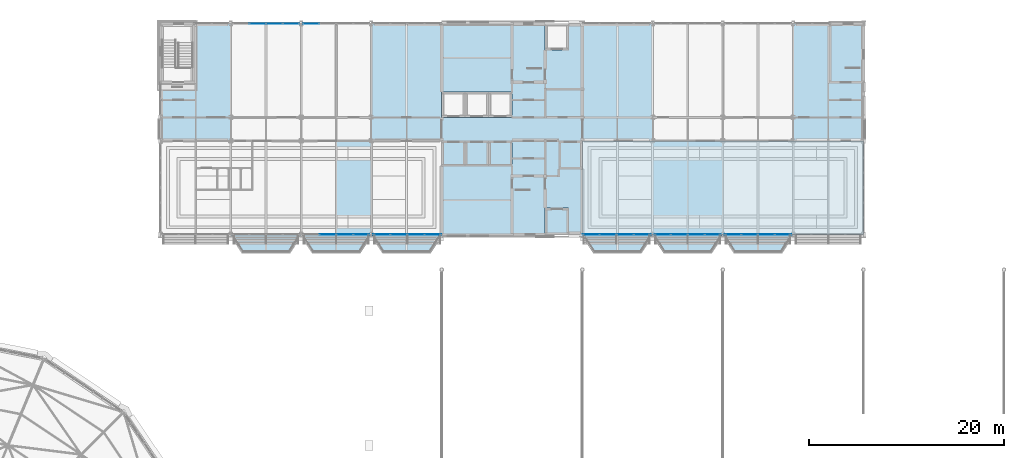
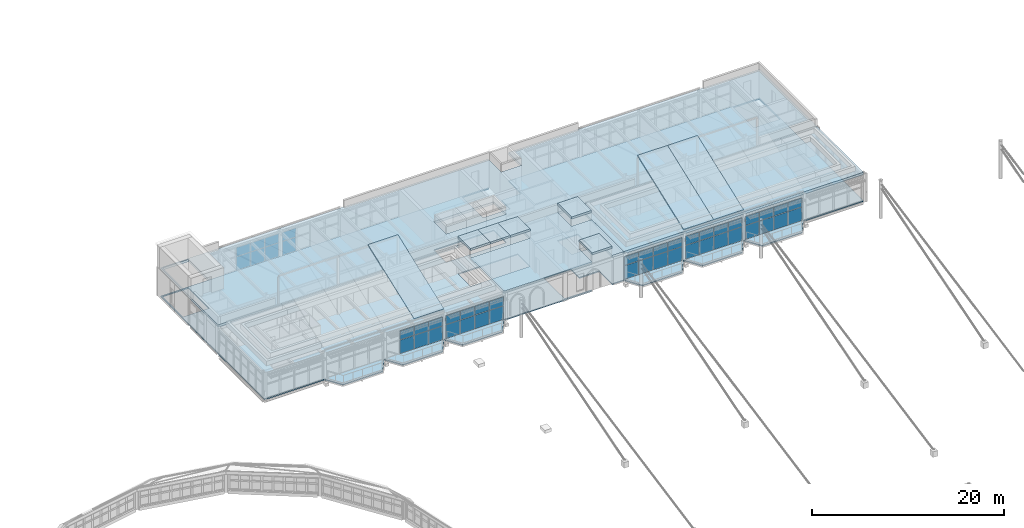
# One storey, part 45 of 68: 46 plates, 11 slabs, 7 elements without a shape of their own.
"""IFC4 building model written with IfcOpenShell, lengths in metres."""

import ifcopenshell
import ifcopenshell.guid

model = None  # the IFC model being written
_history = None  # IfcOwnerHistory: only IFC2X3 demands one
_inside = {}  # id of a spatial element -> (the spatial element, [elements in it])
_under = {}  # id of a project, library or spatial element -> (it, [spatial elements below it])
_declared = {}  # id of a project -> (the project, [libraries it declares])
_typed = {}  # id of a type object -> (the type object, [elements of that type])
_made_of = {}  # id of a material, layer set ... -> (it, [elements and type objects made of it])


def new_model(schema):
    """Start an empty IFC model of exactly this schema.

    Asked for "IFC4X3", IfcOpenShell would pick the latest addendum, in which some entities
    have other attributes; the version numbers below select the first issue.
    IFC2X3 requires an IfcOwnerHistory on every rooted entity: one is made here for all.
    """
    global model, _history
    if schema == "IFC4X3":
        model = ifcopenshell.file(schema_version=(4, 3, 0, 0))
    else:
        model = ifcopenshell.file(schema=schema)
    _inside.clear()
    _under.clear()
    _declared.clear()
    _typed.clear()
    _made_of.clear()
    _history = None
    if model.schema == "IFC2X3":
        org = make("IfcOrganization", Name="unknown")
        user = make(
            "IfcPersonAndOrganization",
            ThePerson=make("IfcPerson", FamilyName="unknown"),
            TheOrganization=org,
        )
        app = make(
            "IfcApplication",
            ApplicationDeveloper=org,
            Version="unknown",
            ApplicationFullName="unknown",
            ApplicationIdentifier="unknown",
        )
        _history = make(
            "IfcOwnerHistory",
            OwningUser=user,
            OwningApplication=app,
            ChangeAction="ADDED",
            CreationDate=0,
        )
    return model


def make(cls, **values):
    """One entity of the class cls with the attributes given. An attribute that is None is left unset."""
    return model.create_entity(
        cls, **{name: value for name, value in values.items() if value is not None}
    )


def rooted(cls, **values):
    """An entity with a GlobalId (a new one), such as an element, a storey or a relation."""
    return make(cls, GlobalId=ifcopenshell.guid.new(), OwnerHistory=_history, **values)


def si_unit(unit_type, name, prefix=None):
    """IfcSIUnit, for example si_unit("LENGTHUNIT", "METRE", prefix="MILLI")."""
    return make("IfcSIUnit", UnitType=unit_type, Prefix=prefix, Name=name)


def assignment(units):
    """IfcUnitAssignment: the units of a project."""
    return None if units is None else make("IfcUnitAssignment", Units=units)


def point(xyz):
    """IfcCartesianPoint."""
    return None if xyz is None else make("IfcCartesianPoint", Coordinates=xyz)


def direction(xyz):
    """IfcDirection."""
    return None if xyz is None else make("IfcDirection", DirectionRatios=xyz)


def frame(location, z_axis=None, x_axis=None):
    """IfcAxis2Placement3D, a coordinate frame: its origin and axes. An axis left out is left unset."""
    return make(
        "IfcAxis2Placement3D",
        Location=point(location),
        Axis=direction(z_axis),
        RefDirection=direction(x_axis),
    )


def frame_2d(location, x_axis=None):
    """IfcAxis2Placement2D, a coordinate frame in the plane: its origin and x axis."""
    return make(
        "IfcAxis2Placement2D", Location=point(location), RefDirection=direction(x_axis)
    )


def origin():
    """The frame at (0, 0, 0) with its axes left unset."""
    return frame((0.0, 0.0, 0.0))


def origin_2d():
    """The frame at (0, 0) in the plane with its x axis left unset."""
    return frame_2d((0.0, 0.0))


def place(relative_to, where):
    """IfcLocalPlacement: puts the frame where relative to a parent placement (None: the world)."""
    return make(
        "IfcLocalPlacement", PlacementRelTo=relative_to, RelativePlacement=where
    )


def context(
    kind, dimensions, precision=None, world=None, true_north=None, identifier=None
):
    """IfcGeometricRepresentationContext, for example the 3D "Model" context."""
    return make(
        "IfcGeometricRepresentationContext",
        ContextIdentifier=identifier,
        ContextType=kind,
        CoordinateSpaceDimension=dimensions,
        Precision=precision,
        WorldCoordinateSystem=world,
        TrueNorth=true_north,
    )


def subcontext(parent, identifier, kind, view, scale=None):
    """IfcGeometricRepresentationSubContext, for example "Body" below "Model"."""
    return make(
        "IfcGeometricRepresentationSubContext",
        ContextIdentifier=identifier,
        ContextType=kind,
        ParentContext=parent,
        TargetScale=scale,
        TargetView=view,
    )


def project(units=None, contexts=None):
    """IfcProject with its units and contexts."""
    return rooted(
        "IfcProject",
        Name="project",
        RepresentationContexts=contexts,
        UnitsInContext=assignment(units),
    )


def spatial(cls, under=None, at=None, **own):
    """A site, building, storey or space (cls), placed at a placement, below another one or the project."""
    s = rooted(cls, ObjectPlacement=at, **own)
    if under is not None:
        _under.setdefault(under.id(), (under, []))[1].append(s)
    return s


def polyline(points):
    """IfcPolyline through the points."""
    return make("IfcPolyline", Points=[point(p) for p in points])


def profile(cls, at=None, kind="AREA", **sizes):
    """A parametric profile (cls). Its sizes go by their IFC names, for example OverallWidth=200.0."""
    return make(cls, ProfileType=kind, Position=at, **sizes)


def rectangle(**sizes):
    """IfcRectangleProfileDef."""
    return profile("IfcRectangleProfileDef", **sizes)


def outline(outer, holes=None, kind="AREA"):
    """IfcArbitraryClosedProfileDef: a profile drawn as a closed curve; with holes, ...WithVoids."""
    if holes is None:
        return make("IfcArbitraryClosedProfileDef", ProfileType=kind, OuterCurve=outer)
    return make(
        "IfcArbitraryProfileDefWithVoids",
        ProfileType=kind,
        OuterCurve=outer,
        InnerCurves=holes,
    )


def extrude(swept, where, along, depth):
    """IfcExtrudedAreaSolid: the profile swept, set in the frame where, extruded along a direction by depth."""
    return make(
        "IfcExtrudedAreaSolid",
        SweptArea=swept,
        Position=where,
        ExtrudedDirection=direction(along),
        Depth=depth,
    )


def shape(context_of_items, identifier, shape_type, items):
    """IfcShapeRepresentation: the items that make up one representation, for example the "Body"."""
    return make(
        "IfcShapeRepresentation",
        ContextOfItems=context_of_items,
        RepresentationIdentifier=identifier,
        RepresentationType=shape_type,
        Items=items,
    )


def material(Name=None, Category=None):
    """IfcMaterial."""
    return make("IfcMaterial", Name=Name, Category=Category)


def layer(
    of_material, thickness, ventilated=None, Name=None, Category=None, Priority=None
):
    """IfcMaterialLayer: one layer of a wall or slab, of a material (None: an air gap)."""
    return make(
        "IfcMaterialLayer",
        Material=of_material,
        LayerThickness=thickness,
        IsVentilated=ventilated,
        Name=Name,
        Category=Category,
        Priority=Priority,
    )


def layer_set(layers, Name=None):
    """IfcMaterialLayerSet."""
    return make("IfcMaterialLayerSet", MaterialLayers=layers, LayerSetName=Name)


def made_of(thing, what):
    """Note that an element or type object is made of a material, layer set ...; save() writes the relation."""
    if what is not None:
        _made_of.setdefault(what.id(), (what, []))[1].append(thing)
    return thing


def type_object(cls, material=None, **own):
    """A type object (cls), such as IfcWallType, which elements share."""
    return made_of(rooted(cls, **own), material)


def element(
    cls,
    number,
    at=None,
    inside=None,
    cuts=None,
    type_object=None,
    material=None,
    context=None,
    identifier="Body",
    shape_type=None,
    held_by="IfcProductDefinitionShape",
    body=None,
    shapes=None,
    **own,
):
    """One element of the class cls, such as IfcWall. Its Tag is "e" and its number.

    at: its placement. inside: the storey or other place that contains it. cuts: it is an
    opening in that element (IfcRelVoidsElement). A single representation is given by context,
    identifier, shape_type and body (its items); several are given by shapes. held_by: the class
    of the entity that holds the representations. save() writes the other relations.
    """
    e = rooted(cls, Tag="e%d" % number, ObjectPlacement=at, **own)
    if body is not None:
        shapes = [shape(context, identifier, shape_type, body)]
    if shapes is not None:
        e.Representation = make(held_by, Representations=shapes)
    if inside is not None:
        _inside.setdefault(inside.id(), (inside, []))[1].append(e)
    if cuts is not None:
        rooted(
            "IfcRelVoidsElement", RelatingBuildingElement=cuts, RelatedOpeningElement=e
        )
    if type_object is not None:
        _typed.setdefault(type_object.id(), (type_object, []))[1].append(e)
    return made_of(e, material)


def aggregate(whole, parts):
    """IfcRelAggregates: a whole, such as a stair, and the parts it consists of."""
    return rooted("IfcRelAggregates", RelatingObject=whole, RelatedObjects=parts)


def save(model, path):
    """Write the relations noted so far, then the file.

    IfcRelAggregates (storeys below a building ...), IfcRelContainedInSpatialStructure (elements
    in a storey), IfcRelDefinesByType, IfcRelAssociatesMaterial and IfcRelDeclares: one each for
    every whole, place, type object, material and project.
    """
    for whole, parts in _under.values():
        aggregate(whole, parts)
    for where, things in _inside.values():
        rooted(
            "IfcRelContainedInSpatialStructure",
            RelatedElements=things,
            RelatingStructure=where,
        )
    for kind, things in _typed.values():
        rooted("IfcRelDefinesByType", RelatedObjects=things, RelatingType=kind)
    for what, things in _made_of.values():
        rooted("IfcRelAssociatesMaterial", RelatedObjects=things, RelatingMaterial=what)
    for by, libraries in _declared.values():
        rooted("IfcRelDeclares", RelatingContext=by, RelatedDefinitions=libraries)
    model.write(path)


model = new_model("IFC4")

# Units and contexts
model_context = context("Model", 3, precision=1e-05, world=origin(), true_north=direction((0.0, 1.0)))
body_context = subcontext(model_context, "Body", "Model", "MODEL_VIEW")
ifc_project = project(units=[si_unit("LENGTHUNIT", "METRE"), si_unit("AREAUNIT", "SQUARE_METRE"), si_unit("VOLUMEUNIT", "CUBIC_METRE"), si_unit("PLANEANGLEUNIT", "RADIAN"), si_unit("MASSUNIT", "GRAM", prefix="KILO")], contexts=[model_context])

# Site, building, storey
site_placement = place(None, origin())
site = spatial("IfcSite", under=ifc_project, at=site_placement, CompositionType="ELEMENT")
building_placement = place(site_placement, origin())
building = spatial("IfcBuilding", under=site, at=building_placement, Name="Kupolbacken Congress Centre", CompositionType="ELEMENT")
storey_placement = place(building_placement, frame((0.0, 0.0, 25.199951171875)))
storey = spatial("IfcBuildingStorey", under=building, at=storey_placement, Name="L07", CompositionType="ELEMENT", Elevation=25.199951171875)

# Slab
ifc_material_1 = material(Name="Concrete C30/37", Category="concrete")
ifc_layer_1 = layer(ifc_material_1, 0.080078125)
ifc_material_2 = material(Name="Steel S350 profiled deck", Category="steel")
ifc_layer_2 = layer(ifc_material_2, 0.06005859375)
ifc_layer_set_1 = layer_set([ifc_layer_1, ifc_layer_2], Name="Concrete C30/37 / Steel S350 profiled deck")
slab_type_1 = type_object("IfcSlabType", Name="FS1 slab 140", PredefinedType="FLOOR", material=ifc_layer_set_1)
slab_1_placement = place(storey_placement, frame((0.0, 0.0, -0.139892578125)))
element("IfcSlab", 1, at=slab_1_placement, inside=storey, type_object=slab_type_1, Name="S/floor/T/L07/slab/slab", PredefinedType="FLOOR", context=body_context, shape_type="SweptSolid", body=[
    extrude(outline(polyline([(114.000244140625, 120.6005859375), (115.199951171875, 122.39990234375), (116.399658203125, 120.6005859375), (121.2001953125, 120.6005859375), (122.39990234375, 122.39990234375), (123.599609375, 120.6005859375), (128.400390625, 120.6005859375), (129.599609375, 122.3994140625), (129.599609375, 122.400390625), (136.799560546875, 122.400390625), (136.799560546875, 143.99951171875), (106.6005859375, 143.99951171875), (106.6005859375, 141.299560546875), (104.200439453125, 141.299560546875), (104.200439453125, 139.509521484375), (100.974609375, 139.509521484375), (100.974609375, 143.825439453125), (104.199462890625, 143.825439453125), (104.199462890625, 143.99951171875), (64.800537109375, 143.99951171875), (64.800537109375, 122.400390625), (72.00048828125, 122.400390625), (72.00048828125, 122.399169921875), (73.19970703125, 120.6005859375), (78.000244140625, 120.6005859375), (79.199951171875, 122.39990234375), (80.399658203125, 120.6005859375), (85.2001953125, 120.6005859375), (86.39990234375, 122.39990234375), (87.599609375, 120.6005859375), (92.400390625, 120.6005859375), (93.599609375, 122.3994140625), (93.599609375, 122.400390625), (104.199462890625, 122.400390625), (104.199462890625, 122.574462890625), (100.974609375, 122.574462890625), (100.974609375, 126.890380859375), (104.200439453125, 126.890380859375), (104.200439453125, 125.1005859375), (106.6005859375, 125.1005859375), (106.6005859375, 122.400390625), (108.00048828125, 122.400390625), (108.00048828125, 122.399169921875), (109.19970703125, 120.6005859375), (114.000244140625, 120.6005859375)]), holes=[polyline([(136.650390625, 139.534423828125), (133.549560546875, 139.534423828125), (133.549560546875, 143.8505859375), (136.650390625, 143.8505859375), (136.650390625, 139.534423828125)]), polyline([(108.00048828125, 129.099609375), (105.599609375, 129.099609375), (105.599609375, 132.00048828125), (108.00048828125, 132.00048828125), (108.00048828125, 129.099609375)]), polyline([(93.599609375, 132.00048828125), (100.800537109375, 132.00048828125), (100.800537109375, 129.3994140625), (93.599609375, 129.3994140625), (93.599609375, 132.00048828125)]), polyline([(93.599609375, 137.00048828125), (100.800537109375, 137.00048828125), (100.800537109375, 134.3994140625), (93.599609375, 134.3994140625), (93.599609375, 137.00048828125)]), polyline([(68.050537109375, 143.8505859375), (68.050537109375, 139.534423828125), (64.949462890625, 139.534423828125), (64.949462890625, 143.8505859375), (68.050537109375, 143.8505859375)])]), origin(), (0.0, 0.0, 1.0), 0.139892578125),
])

# Curtain wall, plates
ifc_material_3 = material(Name="Aluminium mullion-transom frame with glass", Category="aluminium")
curtain_wall_type = type_object("IfcCurtainWallType", Name="CW1 curtain wall 7200x3600", PredefinedType="NOTDEFINED", material=ifc_material_3)
curtain_wall_1_placement = place(storey_placement, origin())
curtain_wall_1 = element("IfcCurtainWall", 2, at=curtain_wall_1_placement, inside=storey, type_object=curtain_wall_type, Name="E/T/N/L07/109/g0", PredefinedType="NOTDEFINED")
ifc_material_4 = material(Name="Glass", Category="glass")
ifc_layer_3 = layer(ifc_material_4, 0.035888671875)
ifc_layer_set_2 = layer_set([ifc_layer_3], Name="Glass")
plate_type = type_object("IfcPlateType", Name="GL2 glass panel 36", PredefinedType="CURTAIN_PANEL", material=ifc_layer_set_2)
plate_1_placement = place(storey_placement, frame((80.2275390625, 144.0, 0.050048828125), z_axis=(0.0, 0.0, 1.0), x_axis=(-1.0, 0.0, 0.0)))
plate_1 = element("IfcPlate", 3, at=plate_1_placement, type_object=plate_type, Name="CW1 panel 4.1", PredefinedType="CURTAIN_PANEL", context=body_context, shape_type="SweptSolid", body=[
    extrude(rectangle(XDim=1.648193359375, YDim=0.035888671875, at=origin_2d()), origin(), (0.0, 0.0, 1.0), 1.72509765625),
])
plate_2_placement = place(storey_placement, frame((80.2275390625, 144.0, 1.8251953125), z_axis=(0.0, 0.0, 1.0), x_axis=(-1.0, 0.0, 0.0)))
plate_2 = element("IfcPlate", 4, at=plate_2_placement, type_object=plate_type, Name="CW1 panel 4.2", PredefinedType="CURTAIN_PANEL", context=body_context, shape_type="SweptSolid", body=[
    extrude(rectangle(XDim=1.648193359375, YDim=0.035888671875, at=origin_2d()), origin(), (0.0, 0.0, 1.0), 1.114990234375),
])
aggregate(curtain_wall_1, [plate_1, plate_2])

curtain_wall_2_placement = place(storey_placement, origin())
curtain_wall_2 = element("IfcCurtainWall", 5, at=curtain_wall_2_placement, inside=storey, type_object=curtain_wall_type, Name="E/T/N/L07/110/g0", PredefinedType="NOTDEFINED")
plate_3_placement = place(storey_placement, frame((78.17236328125, 144.0, 0.050048828125), z_axis=(0.0, 0.0, 1.0), x_axis=(-1.0, 0.0, 0.0)))
plate_3 = element("IfcPlate", 6, at=plate_3_placement, type_object=plate_type, Name="CW1 panel 1.1", PredefinedType="CURTAIN_PANEL", context=body_context, shape_type="SweptSolid", body=[
    extrude(rectangle(XDim=1.648193359375, YDim=0.035888671875, at=origin_2d()), origin(), (0.0, 0.0, 1.0), 1.72509765625),
])
plate_4_placement = place(storey_placement, frame((78.17236328125, 144.0, 1.8251953125), z_axis=(0.0, 0.0, 1.0), x_axis=(-1.0, 0.0, 0.0)))
plate_4 = element("IfcPlate", 7, at=plate_4_placement, type_object=plate_type, Name="CW1 panel 1.2", PredefinedType="CURTAIN_PANEL", context=body_context, shape_type="SweptSolid", body=[
    extrude(rectangle(XDim=1.648193359375, YDim=0.035888671875, at=origin_2d()), origin(), (0.0, 0.0, 1.0), 1.114990234375),
])
plate_5_placement = place(storey_placement, frame((76.461669921875, 144.0, 0.050048828125), z_axis=(0.0, 0.0, 1.0), x_axis=(-1.0, 0.0, 0.0)))
plate_5 = element("IfcPlate", 8, at=plate_5_placement, type_object=plate_type, Name="CW1 panel 2.1", PredefinedType="CURTAIN_PANEL", context=body_context, shape_type="SweptSolid", body=[
    extrude(rectangle(XDim=1.67333984375, YDim=0.035888671875, at=origin_2d()), origin(), (0.0, 0.0, 1.0), 1.72509765625),
])
plate_6_placement = place(storey_placement, frame((76.461669921875, 144.0, 1.8251953125), z_axis=(0.0, 0.0, 1.0), x_axis=(-1.0, 0.0, 0.0)))
plate_6 = element("IfcPlate", 9, at=plate_6_placement, type_object=plate_type, Name="CW1 panel 2.2", PredefinedType="CURTAIN_PANEL", context=body_context, shape_type="SweptSolid", body=[
    extrude(rectangle(XDim=1.67333984375, YDim=0.035888671875, at=origin_2d()), origin(), (0.0, 0.0, 1.0), 1.114990234375),
])
plate_7_placement = place(storey_placement, frame((74.73828125, 144.0, 0.050048828125), z_axis=(0.0, 0.0, 1.0), x_axis=(-1.0, 0.0, 0.0)))
plate_7 = element("IfcPlate", 10, at=plate_7_placement, type_object=plate_type, Name="CW1 panel 3.1", PredefinedType="CURTAIN_PANEL", context=body_context, shape_type="SweptSolid", body=[
    extrude(rectangle(XDim=1.67333984375, YDim=0.035888671875, at=origin_2d()), origin(), (0.0, 0.0, 1.0), 1.72509765625),
])
plate_8_placement = place(storey_placement, frame((74.73828125, 144.0, 1.8251953125), z_axis=(0.0, 0.0, 1.0), x_axis=(-1.0, 0.0, 0.0)))
plate_8 = element("IfcPlate", 11, at=plate_8_placement, type_object=plate_type, Name="CW1 panel 3.2", PredefinedType="CURTAIN_PANEL", context=body_context, shape_type="SweptSolid", body=[
    extrude(rectangle(XDim=1.67333984375, YDim=0.035888671875, at=origin_2d()), origin(), (0.0, 0.0, 1.0), 1.114990234375),
])
aggregate(curtain_wall_2, [plate_3, plate_4, plate_5, plate_6, plate_7, plate_8])

curtain_wall_3_placement = place(storey_placement, origin())
curtain_wall_3 = element("IfcCurtainWall", 12, at=curtain_wall_3_placement, inside=storey, type_object=curtain_wall_type, Name="E/T/S/L07/114/g0", PredefinedType="NOTDEFINED")
plate_9_placement = place(storey_placement, frame((81.9384765625, 122.39990234375, 0.050048828125), z_axis=(0.0, 0.0, 1.0), x_axis=(1.0, 0.0, 0.0)))
plate_9 = element("IfcPlate", 13, at=plate_9_placement, type_object=plate_type, Name="CW1 panel 2.1", PredefinedType="CURTAIN_PANEL", context=body_context, shape_type="SweptSolid", body=[
    extrude(rectangle(XDim=1.67333984375, YDim=0.035888671875, at=origin_2d()), origin(), (0.0, 0.0, 1.0), 1.72509765625),
])
plate_10_placement = place(storey_placement, frame((81.9384765625, 122.39990234375, 1.8251953125), z_axis=(0.0, 0.0, 1.0), x_axis=(1.0, 0.0, 0.0)))
plate_10 = element("IfcPlate", 14, at=plate_10_placement, type_object=plate_type, Name="CW1 panel 2.2", PredefinedType="CURTAIN_PANEL", context=body_context, shape_type="SweptSolid", body=[
    extrude(rectangle(XDim=1.67333984375, YDim=0.035888671875, at=origin_2d()), origin(), (0.0, 0.0, 1.0), 1.114990234375),
])
plate_11_placement = place(storey_placement, frame((83.66162109375, 122.39990234375, 0.050048828125), z_axis=(0.0, 0.0, 1.0), x_axis=(1.0, 0.0, 0.0)))
plate_11 = element("IfcPlate", 15, at=plate_11_placement, type_object=plate_type, Name="CW1 panel 3.1", PredefinedType="CURTAIN_PANEL", context=body_context, shape_type="SweptSolid", body=[
    extrude(rectangle(XDim=1.67333984375, YDim=0.035888671875, at=origin_2d()), origin(), (0.0, 0.0, 1.0), 1.72509765625),
])
plate_12_placement = place(storey_placement, frame((83.66162109375, 122.39990234375, 1.8251953125), z_axis=(0.0, 0.0, 1.0), x_axis=(1.0, 0.0, 0.0)))
plate_12 = element("IfcPlate", 16, at=plate_12_placement, type_object=plate_type, Name="CW1 panel 3.2", PredefinedType="CURTAIN_PANEL", context=body_context, shape_type="SweptSolid", body=[
    extrude(rectangle(XDim=1.67333984375, YDim=0.035888671875, at=origin_2d()), origin(), (0.0, 0.0, 1.0), 1.114990234375),
])
plate_13_placement = place(storey_placement, frame((85.372314453125, 122.39990234375, 0.050048828125), z_axis=(0.0, 0.0, 1.0), x_axis=(1.0, 0.0, 0.0)))
plate_13 = element("IfcPlate", 17, at=plate_13_placement, type_object=plate_type, Name="CW1 panel 4.1", PredefinedType="CURTAIN_PANEL", context=body_context, shape_type="SweptSolid", body=[
    extrude(rectangle(XDim=1.648193359375, YDim=0.035888671875, at=origin_2d()), origin(), (0.0, 0.0, 1.0), 1.72509765625),
])
plate_14_placement = place(storey_placement, frame((85.372314453125, 122.39990234375, 1.8251953125), z_axis=(0.0, 0.0, 1.0), x_axis=(1.0, 0.0, 0.0)))
plate_14 = element("IfcPlate", 18, at=plate_14_placement, type_object=plate_type, Name="CW1 panel 4.2", PredefinedType="CURTAIN_PANEL", context=body_context, shape_type="SweptSolid", body=[
    extrude(rectangle(XDim=1.648193359375, YDim=0.035888671875, at=origin_2d()), origin(), (0.0, 0.0, 1.0), 1.114990234375),
])
aggregate(curtain_wall_3, [plate_9, plate_10, plate_11, plate_12, plate_13, plate_14])

curtain_wall_4_placement = place(storey_placement, origin())
curtain_wall_4 = element("IfcCurtainWall", 19, at=curtain_wall_4_placement, inside=storey, type_object=curtain_wall_type, Name="E/T/S/L07/115/g0", PredefinedType="NOTDEFINED")
plate_15_placement = place(storey_placement, frame((87.44677734375, 122.39990234375, 0.050048828125), z_axis=(0.0, 0.0, 1.0), x_axis=(1.0, 0.0, 0.0)))
plate_15 = element("IfcPlate", 20, at=plate_15_placement, type_object=plate_type, Name="CW1 panel 1.1", PredefinedType="CURTAIN_PANEL", context=body_context, shape_type="SweptSolid", body=[
    extrude(rectangle(XDim=1.6865234375, YDim=0.035888671875, at=origin_2d()), origin(), (0.0, 0.0, 1.0), 1.72509765625),
])
plate_16_placement = place(storey_placement, frame((87.44677734375, 122.39990234375, 1.8251953125), z_axis=(0.0, 0.0, 1.0), x_axis=(1.0, 0.0, 0.0)))
plate_16 = element("IfcPlate", 21, at=plate_16_placement, type_object=plate_type, Name="CW1 panel 1.2", PredefinedType="CURTAIN_PANEL", context=body_context, shape_type="SweptSolid", body=[
    extrude(rectangle(XDim=1.6865234375, YDim=0.035888671875, at=origin_2d()), origin(), (0.0, 0.0, 1.0), 1.114990234375),
])
plate_17_placement = place(storey_placement, frame((89.196044921875, 122.39990234375, 0.050048828125), z_axis=(0.0, 0.0, 1.0), x_axis=(1.0, 0.0, 0.0)))
plate_17 = element("IfcPlate", 22, at=plate_17_placement, type_object=plate_type, Name="CW1 panel 2.1", PredefinedType="CURTAIN_PANEL", context=body_context, shape_type="SweptSolid", body=[
    extrude(rectangle(XDim=1.711669921875, YDim=0.035888671875, at=origin_2d()), origin(), (0.0, 0.0, 1.0), 1.72509765625),
])
plate_18_placement = place(storey_placement, frame((89.196044921875, 122.39990234375, 1.8251953125), z_axis=(0.0, 0.0, 1.0), x_axis=(1.0, 0.0, 0.0)))
plate_18 = element("IfcPlate", 23, at=plate_18_placement, type_object=plate_type, Name="CW1 panel 2.2", PredefinedType="CURTAIN_PANEL", context=body_context, shape_type="SweptSolid", body=[
    extrude(rectangle(XDim=1.711669921875, YDim=0.035888671875, at=origin_2d()), origin(), (0.0, 0.0, 1.0), 1.114990234375),
])
plate_19_placement = place(storey_placement, frame((90.95751953125, 122.39990234375, 0.050048828125), z_axis=(0.0, 0.0, 1.0), x_axis=(1.0, 0.0, 0.0)))
plate_19 = element("IfcPlate", 24, at=plate_19_placement, type_object=plate_type, Name="CW1 panel 3.1", PredefinedType="CURTAIN_PANEL", context=body_context, shape_type="SweptSolid", body=[
    extrude(rectangle(XDim=1.711669921875, YDim=0.035888671875, at=origin_2d()), origin(), (0.0, 0.0, 1.0), 1.72509765625),
])
plate_20_placement = place(storey_placement, frame((90.95751953125, 122.39990234375, 1.8251953125), z_axis=(0.0, 0.0, 1.0), x_axis=(1.0, 0.0, 0.0)))
plate_20 = element("IfcPlate", 25, at=plate_20_placement, type_object=plate_type, Name="CW1 panel 3.2", PredefinedType="CURTAIN_PANEL", context=body_context, shape_type="SweptSolid", body=[
    extrude(rectangle(XDim=1.711669921875, YDim=0.035888671875, at=origin_2d()), origin(), (0.0, 0.0, 1.0), 1.114990234375),
])
plate_21_placement = place(storey_placement, frame((92.706787109375, 122.39990234375, 0.050048828125), z_axis=(0.0, 0.0, 1.0), x_axis=(1.0, 0.0, 0.0)))
plate_21 = element("IfcPlate", 26, at=plate_21_placement, type_object=plate_type, Name="CW1 panel 4.1", PredefinedType="CURTAIN_PANEL", context=body_context, shape_type="SweptSolid", body=[
    extrude(rectangle(XDim=1.6865234375, YDim=0.035888671875, at=origin_2d()), origin(), (0.0, 0.0, 1.0), 1.72509765625),
])
plate_22_placement = place(storey_placement, frame((92.706787109375, 122.39990234375, 1.8251953125), z_axis=(0.0, 0.0, 1.0), x_axis=(1.0, 0.0, 0.0)))
plate_22 = element("IfcPlate", 27, at=plate_22_placement, type_object=plate_type, Name="CW1 panel 4.2", PredefinedType="CURTAIN_PANEL", context=body_context, shape_type="SweptSolid", body=[
    extrude(rectangle(XDim=1.6865234375, YDim=0.035888671875, at=origin_2d()), origin(), (0.0, 0.0, 1.0), 1.114990234375),
])
aggregate(curtain_wall_4, [plate_15, plate_16, plate_17, plate_18, plate_19, plate_20, plate_21, plate_22])

curtain_wall_5_placement = place(storey_placement, origin())
curtain_wall_5 = element("IfcCurtainWall", 28, at=curtain_wall_5_placement, inside=storey, type_object=curtain_wall_type, Name="E/T/S/L07/117/g0", PredefinedType="NOTDEFINED")
plate_23_placement = place(storey_placement, frame((108.893310546875, 122.39990234375, 0.050048828125), z_axis=(0.0, 0.0, 1.0), x_axis=(1.0, 0.0, 0.0)))
plate_23 = element("IfcPlate", 29, at=plate_23_placement, type_object=plate_type, Name="CW1 panel 1.1", PredefinedType="CURTAIN_PANEL", context=body_context, shape_type="SweptSolid", body=[
    extrude(rectangle(XDim=1.6865234375, YDim=0.035888671875, at=origin_2d()), origin(), (0.0, 0.0, 1.0), 1.72509765625),
])
plate_24_placement = place(storey_placement, frame((108.893310546875, 122.39990234375, 1.8251953125), z_axis=(0.0, 0.0, 1.0), x_axis=(1.0, 0.0, 0.0)))
plate_24 = element("IfcPlate", 30, at=plate_24_placement, type_object=plate_type, Name="CW1 panel 1.2", PredefinedType="CURTAIN_PANEL", context=body_context, shape_type="SweptSolid", body=[
    extrude(rectangle(XDim=1.6865234375, YDim=0.035888671875, at=origin_2d()), origin(), (0.0, 0.0, 1.0), 1.114990234375),
])
plate_25_placement = place(storey_placement, frame((110.642333984375, 122.39990234375, 0.050048828125), z_axis=(0.0, 0.0, 1.0), x_axis=(1.0, 0.0, 0.0)))
plate_25 = element("IfcPlate", 31, at=plate_25_placement, type_object=plate_type, Name="CW1 panel 2.1", PredefinedType="CURTAIN_PANEL", context=body_context, shape_type="SweptSolid", body=[
    extrude(rectangle(XDim=1.711669921875, YDim=0.035888671875, at=origin_2d()), origin(), (0.0, 0.0, 1.0), 1.72509765625),
])
plate_26_placement = place(storey_placement, frame((110.642333984375, 122.39990234375, 1.8251953125), z_axis=(0.0, 0.0, 1.0), x_axis=(1.0, 0.0, 0.0)))
plate_26 = element("IfcPlate", 32, at=plate_26_placement, type_object=plate_type, Name="CW1 panel 2.2", PredefinedType="CURTAIN_PANEL", context=body_context, shape_type="SweptSolid", body=[
    extrude(rectangle(XDim=1.711669921875, YDim=0.035888671875, at=origin_2d()), origin(), (0.0, 0.0, 1.0), 1.114990234375),
])
plate_27_placement = place(storey_placement, frame((112.404052734375, 122.39990234375, 0.050048828125), z_axis=(0.0, 0.0, 1.0), x_axis=(1.0, 0.0, 0.0)))
plate_27 = element("IfcPlate", 33, at=plate_27_placement, type_object=plate_type, Name="CW1 panel 3.1", PredefinedType="CURTAIN_PANEL", context=body_context, shape_type="SweptSolid", body=[
    extrude(rectangle(XDim=1.711669921875, YDim=0.035888671875, at=origin_2d()), origin(), (0.0, 0.0, 1.0), 1.72509765625),
])
plate_28_placement = place(storey_placement, frame((112.404052734375, 122.39990234375, 1.8251953125), z_axis=(0.0, 0.0, 1.0), x_axis=(1.0, 0.0, 0.0)))
plate_28 = element("IfcPlate", 34, at=plate_28_placement, type_object=plate_type, Name="CW1 panel 3.2", PredefinedType="CURTAIN_PANEL", context=body_context, shape_type="SweptSolid", body=[
    extrude(rectangle(XDim=1.711669921875, YDim=0.035888671875, at=origin_2d()), origin(), (0.0, 0.0, 1.0), 1.114990234375),
])
plate_29_placement = place(storey_placement, frame((114.153076171875, 122.39990234375, 0.050048828125), z_axis=(0.0, 0.0, 1.0), x_axis=(1.0, 0.0, 0.0)))
plate_29 = element("IfcPlate", 35, at=plate_29_placement, type_object=plate_type, Name="CW1 panel 4.1", PredefinedType="CURTAIN_PANEL", context=body_context, shape_type="SweptSolid", body=[
    extrude(rectangle(XDim=1.6865234375, YDim=0.035888671875, at=origin_2d()), origin(), (0.0, 0.0, 1.0), 1.72509765625),
])
plate_30_placement = place(storey_placement, frame((114.153076171875, 122.39990234375, 1.8251953125), z_axis=(0.0, 0.0, 1.0), x_axis=(1.0, 0.0, 0.0)))
plate_30 = element("IfcPlate", 36, at=plate_30_placement, type_object=plate_type, Name="CW1 panel 4.2", PredefinedType="CURTAIN_PANEL", context=body_context, shape_type="SweptSolid", body=[
    extrude(rectangle(XDim=1.6865234375, YDim=0.035888671875, at=origin_2d()), origin(), (0.0, 0.0, 1.0), 1.114990234375),
])
aggregate(curtain_wall_5, [plate_23, plate_24, plate_25, plate_26, plate_27, plate_28, plate_29, plate_30])

curtain_wall_6_placement = place(storey_placement, origin())
curtain_wall_6 = element("IfcCurtainWall", 37, at=curtain_wall_6_placement, inside=storey, type_object=curtain_wall_type, Name="E/T/S/L07/118/g0", PredefinedType="NOTDEFINED")
plate_31_placement = place(storey_placement, frame((116.2275390625, 122.39990234375, 0.050048828125), z_axis=(0.0, 0.0, 1.0), x_axis=(1.0, 0.0, 0.0)))
plate_31 = element("IfcPlate", 38, at=plate_31_placement, type_object=plate_type, Name="CW1 panel 1.1", PredefinedType="CURTAIN_PANEL", context=body_context, shape_type="SweptSolid", body=[
    extrude(rectangle(XDim=1.648193359375, YDim=0.035888671875, at=origin_2d()), origin(), (0.0, 0.0, 1.0), 1.72509765625),
])
plate_32_placement = place(storey_placement, frame((116.2275390625, 122.39990234375, 1.8251953125), z_axis=(0.0, 0.0, 1.0), x_axis=(1.0, 0.0, 0.0)))
plate_32 = element("IfcPlate", 39, at=plate_32_placement, type_object=plate_type, Name="CW1 panel 1.2", PredefinedType="CURTAIN_PANEL", context=body_context, shape_type="SweptSolid", body=[
    extrude(rectangle(XDim=1.648193359375, YDim=0.035888671875, at=origin_2d()), origin(), (0.0, 0.0, 1.0), 1.114990234375),
])
plate_33_placement = place(storey_placement, frame((117.9384765625, 122.39990234375, 0.050048828125), z_axis=(0.0, 0.0, 1.0), x_axis=(1.0, 0.0, 0.0)))
plate_33 = element("IfcPlate", 40, at=plate_33_placement, type_object=plate_type, Name="CW1 panel 2.1", PredefinedType="CURTAIN_PANEL", context=body_context, shape_type="SweptSolid", body=[
    extrude(rectangle(XDim=1.67333984375, YDim=0.035888671875, at=origin_2d()), origin(), (0.0, 0.0, 1.0), 1.72509765625),
])
plate_34_placement = place(storey_placement, frame((117.9384765625, 122.39990234375, 1.8251953125), z_axis=(0.0, 0.0, 1.0), x_axis=(1.0, 0.0, 0.0)))
plate_34 = element("IfcPlate", 41, at=plate_34_placement, type_object=plate_type, Name="CW1 panel 2.2", PredefinedType="CURTAIN_PANEL", context=body_context, shape_type="SweptSolid", body=[
    extrude(rectangle(XDim=1.67333984375, YDim=0.035888671875, at=origin_2d()), origin(), (0.0, 0.0, 1.0), 1.114990234375),
])
plate_35_placement = place(storey_placement, frame((119.66162109375, 122.39990234375, 0.050048828125), z_axis=(0.0, 0.0, 1.0), x_axis=(1.0, 0.0, 0.0)))
plate_35 = element("IfcPlate", 42, at=plate_35_placement, type_object=plate_type, Name="CW1 panel 3.1", PredefinedType="CURTAIN_PANEL", context=body_context, shape_type="SweptSolid", body=[
    extrude(rectangle(XDim=1.67333984375, YDim=0.035888671875, at=origin_2d()), origin(), (0.0, 0.0, 1.0), 1.72509765625),
])
plate_36_placement = place(storey_placement, frame((119.66162109375, 122.39990234375, 1.8251953125), z_axis=(0.0, 0.0, 1.0), x_axis=(1.0, 0.0, 0.0)))
plate_36 = element("IfcPlate", 43, at=plate_36_placement, type_object=plate_type, Name="CW1 panel 3.2", PredefinedType="CURTAIN_PANEL", context=body_context, shape_type="SweptSolid", body=[
    extrude(rectangle(XDim=1.67333984375, YDim=0.035888671875, at=origin_2d()), origin(), (0.0, 0.0, 1.0), 1.114990234375),
])
plate_37_placement = place(storey_placement, frame((121.372314453125, 122.39990234375, 0.050048828125), z_axis=(0.0, 0.0, 1.0), x_axis=(1.0, 0.0, 0.0)))
plate_37 = element("IfcPlate", 44, at=plate_37_placement, type_object=plate_type, Name="CW1 panel 4.1", PredefinedType="CURTAIN_PANEL", context=body_context, shape_type="SweptSolid", body=[
    extrude(rectangle(XDim=1.648193359375, YDim=0.035888671875, at=origin_2d()), origin(), (0.0, 0.0, 1.0), 1.72509765625),
])
plate_38_placement = place(storey_placement, frame((121.372314453125, 122.39990234375, 1.8251953125), z_axis=(0.0, 0.0, 1.0), x_axis=(1.0, 0.0, 0.0)))
plate_38 = element("IfcPlate", 45, at=plate_38_placement, type_object=plate_type, Name="CW1 panel 4.2", PredefinedType="CURTAIN_PANEL", context=body_context, shape_type="SweptSolid", body=[
    extrude(rectangle(XDim=1.648193359375, YDim=0.035888671875, at=origin_2d()), origin(), (0.0, 0.0, 1.0), 1.114990234375),
])
aggregate(curtain_wall_6, [plate_31, plate_32, plate_33, plate_34, plate_35, plate_36, plate_37, plate_38])

curtain_wall_7_placement = place(storey_placement, origin())
curtain_wall_7 = element("IfcCurtainWall", 46, at=curtain_wall_7_placement, inside=storey, type_object=curtain_wall_type, Name="E/T/S/L07/119/g0", PredefinedType="NOTDEFINED")
plate_39_placement = place(storey_placement, frame((123.427734375, 122.39990234375, 0.050048828125), z_axis=(0.0, 0.0, 1.0), x_axis=(1.0, 0.0, 0.0)))
plate_39 = element("IfcPlate", 47, at=plate_39_placement, type_object=plate_type, Name="CW1 panel 1.1", PredefinedType="CURTAIN_PANEL", context=body_context, shape_type="SweptSolid", body=[
    extrude(rectangle(XDim=1.648193359375, YDim=0.035888671875, at=origin_2d()), origin(), (0.0, 0.0, 1.0), 1.72509765625),
])
plate_40_placement = place(storey_placement, frame((123.427734375, 122.39990234375, 1.8251953125), z_axis=(0.0, 0.0, 1.0), x_axis=(1.0, 0.0, 0.0)))
plate_40 = element("IfcPlate", 48, at=plate_40_placement, type_object=plate_type, Name="CW1 panel 1.2", PredefinedType="CURTAIN_PANEL", context=body_context, shape_type="SweptSolid", body=[
    extrude(rectangle(XDim=1.648193359375, YDim=0.035888671875, at=origin_2d()), origin(), (0.0, 0.0, 1.0), 1.114990234375),
])
plate_41_placement = place(storey_placement, frame((125.138427734375, 122.39990234375, 0.050048828125), z_axis=(0.0, 0.0, 1.0), x_axis=(1.0, 0.0, 0.0)))
plate_41 = element("IfcPlate", 49, at=plate_41_placement, type_object=plate_type, Name="CW1 panel 2.1", PredefinedType="CURTAIN_PANEL", context=body_context, shape_type="SweptSolid", body=[
    extrude(rectangle(XDim=1.67333984375, YDim=0.035888671875, at=origin_2d()), origin(), (0.0, 0.0, 1.0), 1.72509765625),
])
plate_42_placement = place(storey_placement, frame((125.138427734375, 122.39990234375, 1.8251953125), z_axis=(0.0, 0.0, 1.0), x_axis=(1.0, 0.0, 0.0)))
plate_42 = element("IfcPlate", 50, at=plate_42_placement, type_object=plate_type, Name="CW1 panel 2.2", PredefinedType="CURTAIN_PANEL", context=body_context, shape_type="SweptSolid", body=[
    extrude(rectangle(XDim=1.67333984375, YDim=0.035888671875, at=origin_2d()), origin(), (0.0, 0.0, 1.0), 1.114990234375),
])
plate_43_placement = place(storey_placement, frame((126.861572265625, 122.39990234375, 0.050048828125), z_axis=(0.0, 0.0, 1.0), x_axis=(1.0, 0.0, 0.0)))
plate_43 = element("IfcPlate", 51, at=plate_43_placement, type_object=plate_type, Name="CW1 panel 3.1", PredefinedType="CURTAIN_PANEL", context=body_context, shape_type="SweptSolid", body=[
    extrude(rectangle(XDim=1.67333984375, YDim=0.035888671875, at=origin_2d()), origin(), (0.0, 0.0, 1.0), 1.72509765625),
])
plate_44_placement = place(storey_placement, frame((126.861572265625, 122.39990234375, 1.8251953125), z_axis=(0.0, 0.0, 1.0), x_axis=(1.0, 0.0, 0.0)))
plate_44 = element("IfcPlate", 52, at=plate_44_placement, type_object=plate_type, Name="CW1 panel 3.2", PredefinedType="CURTAIN_PANEL", context=body_context, shape_type="SweptSolid", body=[
    extrude(rectangle(XDim=1.67333984375, YDim=0.035888671875, at=origin_2d()), origin(), (0.0, 0.0, 1.0), 1.114990234375),
])
plate_45_placement = place(storey_placement, frame((128.572265625, 122.39990234375, 0.050048828125), z_axis=(0.0, 0.0, 1.0), x_axis=(1.0, 0.0, 0.0)))
plate_45 = element("IfcPlate", 53, at=plate_45_placement, type_object=plate_type, Name="CW1 panel 4.1", PredefinedType="CURTAIN_PANEL", context=body_context, shape_type="SweptSolid", body=[
    extrude(rectangle(XDim=1.648193359375, YDim=0.035888671875, at=origin_2d()), origin(), (0.0, 0.0, 1.0), 1.72509765625),
])
plate_46_placement = place(storey_placement, frame((128.572265625, 122.39990234375, 1.8251953125), z_axis=(0.0, 0.0, 1.0), x_axis=(1.0, 0.0, 0.0)))
plate_46 = element("IfcPlate", 54, at=plate_46_placement, type_object=plate_type, Name="CW1 panel 4.2", PredefinedType="CURTAIN_PANEL", context=body_context, shape_type="SweptSolid", body=[
    extrude(rectangle(XDim=1.648193359375, YDim=0.035888671875, at=origin_2d()), origin(), (0.0, 0.0, 1.0), 1.114990234375),
])
aggregate(curtain_wall_7, [plate_39, plate_40, plate_41, plate_42, plate_43, plate_44, plate_45, plate_46])

# Slabs
ifc_layer_4 = layer(ifc_material_1, 0.080078125)
ifc_layer_5 = layer(ifc_material_2, 0.06005859375)
ifc_material_5 = material(Name="Mineral wool", Category="insulation")
ifc_layer_6 = layer(ifc_material_5, 0.1201171875)
ifc_material_6 = material(Name="Roofing membrane", Category="membrane")
ifc_layer_7 = layer(ifc_material_6, 0.010009765625)
ifc_layer_set_3 = layer_set([ifc_layer_4, ifc_layer_5, ifc_layer_6, ifc_layer_7], Name="Concrete C30/37 / Steel S350 profiled deck / Mineral wool / Roofing membrane")
slab_type_2 = type_object("IfcSlabType", Name="RS2 slab 270", PredefinedType="ROOF", material=ifc_layer_set_3)
slab_2_placement = place(storey_placement, frame((0.0, 0.0, 4.5)))
element("IfcSlab", 55, at=slab_2_placement, inside=storey, type_object=slab_type_2, Name="Lift machine room slab LP9", PredefinedType="ROOF", context=body_context, shape_type="SweptSolid", body=[
    extrude(outline(polyline([(93.60009765625, 129.39990234375), (96.0, 129.39990234375), (96.0, 132.0), (93.60009765625, 132.0), (93.60009765625, 129.39990234375)])), origin(), (0.0, 0.0, 1.0), 0.27001953125),
])
slab_3_placement = place(storey_placement, frame((0.0, 0.0, 4.5)))
element("IfcSlab", 56, at=slab_3_placement, inside=storey, type_object=slab_type_2, Name="Lift machine room slab LP10", PredefinedType="ROOF", context=body_context, shape_type="SweptSolid", body=[
    extrude(outline(polyline([(96.0, 129.39990234375), (98.39990234375, 129.39990234375), (98.39990234375, 132.0), (96.0, 132.0), (96.0, 129.39990234375)])), origin(), (0.0, 0.0, 1.0), 0.27001953125),
])
slab_4_placement = place(storey_placement, frame((0.0, 0.0, 4.5)))
element("IfcSlab", 57, at=slab_4_placement, inside=storey, type_object=slab_type_2, Name="Lift machine room slab LP11", PredefinedType="ROOF", context=body_context, shape_type="SweptSolid", body=[
    extrude(outline(polyline([(98.39990234375, 129.39990234375), (100.800048828125, 129.39990234375), (100.800048828125, 132.0), (98.39990234375, 132.0), (98.39990234375, 129.39990234375)])), origin(), (0.0, 0.0, 1.0), 0.27001953125),
])
slab_5_placement = place(storey_placement, frame((0.0, 0.0, 4.5)))
element("IfcSlab", 58, at=slab_5_placement, inside=storey, type_object=slab_type_2, Name="Lift machine room slab LF1", PredefinedType="ROOF", context=body_context, shape_type="SweptSolid", body=[
    extrude(outline(polyline([(104.199951171875, 122.39990234375), (106.60009765625, 122.39990234375), (106.60009765625, 125.10009765625), (104.199951171875, 125.10009765625), (104.199951171875, 122.39990234375)])), origin(), (0.0, 0.0, 1.0), 0.27001953125),
])
slab_6_placement = place(storey_placement, frame((0.0, 0.0, 4.5)))
element("IfcSlab", 59, at=slab_6_placement, inside=storey, type_object=slab_type_2, Name="Lift machine room slab LV1", PredefinedType="ROOF", context=body_context, shape_type="SweptSolid", body=[
    extrude(outline(polyline([(105.60009765625, 129.10009765625), (108.0, 129.10009765625), (108.0, 132.0), (105.60009765625, 132.0), (105.60009765625, 129.10009765625)])), origin(), (0.0, 0.0, 1.0), 0.27001953125),
])
ifc_layer_8 = layer(ifc_material_1, 0.080078125)
ifc_layer_9 = layer(ifc_material_2, 0.06005859375)
ifc_layer_10 = layer(ifc_material_5, 0.080078125)
ifc_layer_11 = layer(ifc_material_6, 0.010009765625)
ifc_material_7 = material(Name="Green roof substrate", Category="soil")
ifc_layer_12 = layer(ifc_material_7, 0.080078125)
ifc_layer_set_4 = layer_set([ifc_layer_8, ifc_layer_9, ifc_layer_10, ifc_layer_11, ifc_layer_12], Name="Concrete C30/37 / Steel S350 profiled deck / Mineral wool / Roofing membrane / Green roof substrate")
slab_type_3 = type_object("IfcSlabType", Name="RS4 slab 310", PredefinedType="ROOF", material=ifc_layer_set_4)
slab_7_placement = place(storey_placement, frame((0.0, 0.0, 3.2900390625)))
element("IfcSlab", 60, at=slab_7_placement, inside=storey, type_object=slab_type_3, Name="S/floor/T/ROOF/slab/p0/slab", PredefinedType="ROOF", context=body_context, shape_type="SweptSolid", body=[
    extrude(outline(polyline([(64.800537109375, 143.99951171875), (64.800537109375, 132.00048828125), (100.800537109375, 132.00048828125), (100.800537109375, 129.3994140625), (93.6005859375, 129.3994140625), (93.6005859375, 122.400390625), (104.199462890625, 122.400390625), (104.199462890625, 125.1005859375), (106.6005859375, 125.1005859375), (106.6005859375, 122.400390625), (107.99951171875, 122.400390625), (107.99951171875, 129.099609375), (105.599609375, 129.099609375), (105.599609375, 132.00048828125), (136.799560546875, 132.00048828125), (136.799560546875, 143.99951171875), (106.6005859375, 143.99951171875), (106.6005859375, 141.299560546875), (104.199462890625, 141.299560546875), (104.199462890625, 143.99951171875), (64.800537109375, 143.99951171875)]), holes=[polyline([(93.599609375, 134.3994140625), (93.599609375, 137.00048828125), (100.800537109375, 137.00048828125), (100.800537109375, 134.3994140625), (93.599609375, 134.3994140625)]), polyline([(68.050537109375, 139.534423828125), (64.949462890625, 139.534423828125), (64.949462890625, 143.8505859375), (68.050537109375, 143.8505859375), (68.050537109375, 139.534423828125)])]), origin(), (0.0, 0.0, 1.0), 0.31005859375),
])
slab_8_placement = place(storey_placement, frame((0.0, 0.0, 3.2900390625)))
element("IfcSlab", 61, at=slab_8_placement, inside=storey, type_object=slab_type_3, Name="S/floor/T/ROOF/slab/p1/slab", PredefinedType="ROOF", context=body_context, shape_type="SweptSolid", body=[
    extrude(outline(polyline([(108.00048828125, 131.99951171875), (108.00048828125, 122.400390625), (136.799560546875, 122.400390625), (136.799560546875, 131.99951171875), (108.00048828125, 131.99951171875)])), origin(), (0.0, 0.0, 1.0), 0.31005859375),
])
ifc_material_8 = material(Name="Standing-seam zinc roofing", Category="metal")
ifc_layer_13 = layer(ifc_material_8, 0.02001953125)
ifc_layer_14 = layer(ifc_material_5, 0.10009765625)
ifc_layer_set_5 = layer_set([ifc_layer_13, ifc_layer_14], Name="Standing-seam zinc roofing / Mineral wool")
slab_type_4 = type_object("IfcSlabType", Name="RS8 gabled roof panel 120", PredefinedType="ROOF", material=ifc_layer_set_5)
slab_9_placement = place(storey_placement, frame((82.800048828125, 122.39990234375, 3.900146484375), z_axis=(0.0, -0.351107784341, 0.936335048888), x_axis=(1.0, 0.0, 0.0)))
element("IfcSlab", 62, at=slab_9_placement, inside=storey, type_object=slab_type_4, Name="E/T/roof/R1/p13", PredefinedType="ROOF", context=body_context, shape_type="SweptSolid", body=[
    extrude(outline(polyline([(0.0, 0.0), (3.599853515625, 0.0), (3.599853515625, 10.252844500112854), (0.0, 10.252844500112854), (0.0, 0.0)])), origin(), (0.0, 0.0, -1.0), 0.1201171875),
])
slab_10_placement = place(storey_placement, frame((115.199951171875, 122.39990234375, 3.900146484375), z_axis=(0.0, -0.351107784341, 0.936335048888), x_axis=(1.0, 0.0, 0.0)))
element("IfcSlab", 63, at=slab_10_placement, inside=storey, type_object=slab_type_4, Name="E/T/roof/R2/p10", PredefinedType="ROOF", context=body_context, shape_type="SweptSolid", body=[
    extrude(outline(polyline([(0.0, 0.0), (3.60009765625, 0.0), (3.60009765625, 10.252844500112852), (0.0, 10.252844500112852), (0.0, 0.0)])), origin(), (0.0, 0.0, -1.0), 0.1201171875),
])
slab_11_placement = place(storey_placement, frame((118.800048828125, 122.39990234375, 3.900146484375), z_axis=(0.0, -0.351107784341, 0.936335048888), x_axis=(1.0, 0.0, 0.0)))
element("IfcSlab", 64, at=slab_11_placement, inside=storey, type_object=slab_type_4, Name="E/T/roof/R2/p11", PredefinedType="ROOF", context=body_context, shape_type="SweptSolid", body=[
    extrude(outline(polyline([(0.0, 0.0), (3.599853515625, 0.0), (3.599853515625, 10.252844500112854), (0.0, 10.252844500112854), (0.0, 0.0)])), origin(), (0.0, 0.0, -1.0), 0.1201171875),
])

save(model, "model.ifc")
